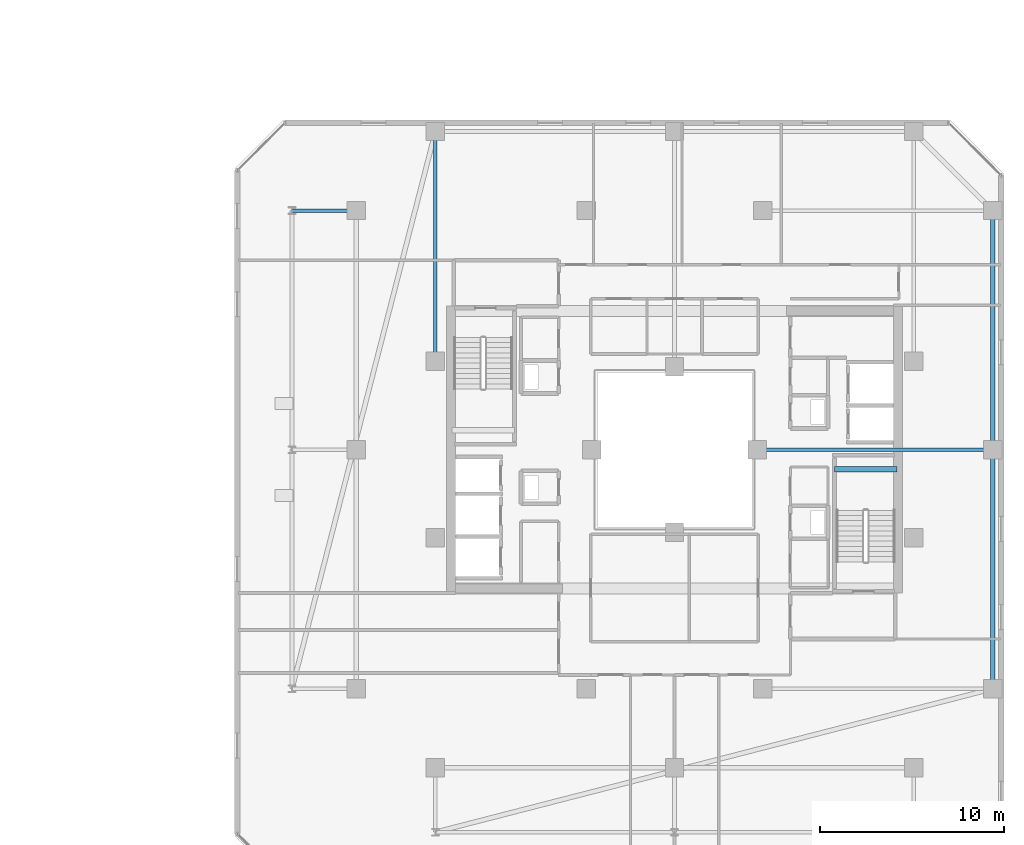
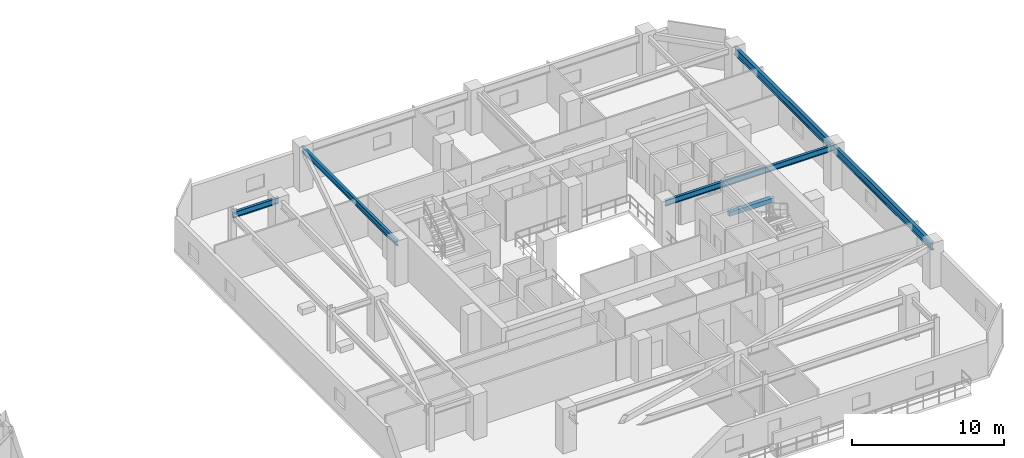
# One storey, part 14 of 33: 6 beams.
"""IFC4 building model written with IfcOpenShell, lengths in metres."""

import ifcopenshell
import ifcopenshell.guid

model = None  # the IFC model being written
_history = None  # IfcOwnerHistory: only IFC2X3 demands one
_inside = {}  # id of a spatial element -> (the spatial element, [elements in it])
_under = {}  # id of a project, library or spatial element -> (it, [spatial elements below it])
_declared = {}  # id of a project -> (the project, [libraries it declares])
_typed = {}  # id of a type object -> (the type object, [elements of that type])
_made_of = {}  # id of a material, layer set ... -> (it, [elements and type objects made of it])


def new_model(schema):
    """Start an empty IFC model of exactly this schema.

    Asked for "IFC4X3", IfcOpenShell would pick the latest addendum, in which some entities
    have other attributes; the version numbers below select the first issue.
    IFC2X3 requires an IfcOwnerHistory on every rooted entity: one is made here for all.
    """
    global model, _history
    if schema == "IFC4X3":
        model = ifcopenshell.file(schema_version=(4, 3, 0, 0))
    else:
        model = ifcopenshell.file(schema=schema)
    _inside.clear()
    _under.clear()
    _declared.clear()
    _typed.clear()
    _made_of.clear()
    _history = None
    if model.schema == "IFC2X3":
        org = make("IfcOrganization", Name="unknown")
        user = make(
            "IfcPersonAndOrganization",
            ThePerson=make("IfcPerson", FamilyName="unknown"),
            TheOrganization=org,
        )
        app = make(
            "IfcApplication",
            ApplicationDeveloper=org,
            Version="unknown",
            ApplicationFullName="unknown",
            ApplicationIdentifier="unknown",
        )
        _history = make(
            "IfcOwnerHistory",
            OwningUser=user,
            OwningApplication=app,
            ChangeAction="ADDED",
            CreationDate=0,
        )
    return model


def make(cls, **values):
    """One entity of the class cls with the attributes given. An attribute that is None is left unset."""
    return model.create_entity(
        cls, **{name: value for name, value in values.items() if value is not None}
    )


def rooted(cls, **values):
    """An entity with a GlobalId (a new one), such as an element, a storey or a relation."""
    return make(cls, GlobalId=ifcopenshell.guid.new(), OwnerHistory=_history, **values)


def si_unit(unit_type, name, prefix=None):
    """IfcSIUnit, for example si_unit("LENGTHUNIT", "METRE", prefix="MILLI")."""
    return make("IfcSIUnit", UnitType=unit_type, Prefix=prefix, Name=name)


def assignment(units):
    """IfcUnitAssignment: the units of a project."""
    return None if units is None else make("IfcUnitAssignment", Units=units)


def point(xyz):
    """IfcCartesianPoint."""
    return None if xyz is None else make("IfcCartesianPoint", Coordinates=xyz)


def direction(xyz):
    """IfcDirection."""
    return None if xyz is None else make("IfcDirection", DirectionRatios=xyz)


def frame(location, z_axis=None, x_axis=None):
    """IfcAxis2Placement3D, a coordinate frame: its origin and axes. An axis left out is left unset."""
    return make(
        "IfcAxis2Placement3D",
        Location=point(location),
        Axis=direction(z_axis),
        RefDirection=direction(x_axis),
    )


def frame_2d(location, x_axis=None):
    """IfcAxis2Placement2D, a coordinate frame in the plane: its origin and x axis."""
    return make(
        "IfcAxis2Placement2D", Location=point(location), RefDirection=direction(x_axis)
    )


def origin():
    """The frame at (0, 0, 0) with its axes left unset."""
    return frame((0.0, 0.0, 0.0))


def origin_2d():
    """The frame at (0, 0) in the plane with its x axis left unset."""
    return frame_2d((0.0, 0.0))


def place(relative_to, where):
    """IfcLocalPlacement: puts the frame where relative to a parent placement (None: the world)."""
    return make(
        "IfcLocalPlacement", PlacementRelTo=relative_to, RelativePlacement=where
    )


def context(
    kind, dimensions, precision=None, world=None, true_north=None, identifier=None
):
    """IfcGeometricRepresentationContext, for example the 3D "Model" context."""
    return make(
        "IfcGeometricRepresentationContext",
        ContextIdentifier=identifier,
        ContextType=kind,
        CoordinateSpaceDimension=dimensions,
        Precision=precision,
        WorldCoordinateSystem=world,
        TrueNorth=true_north,
    )


def subcontext(parent, identifier, kind, view, scale=None):
    """IfcGeometricRepresentationSubContext, for example "Body" below "Model"."""
    return make(
        "IfcGeometricRepresentationSubContext",
        ContextIdentifier=identifier,
        ContextType=kind,
        ParentContext=parent,
        TargetScale=scale,
        TargetView=view,
    )


def project(units=None, contexts=None):
    """IfcProject with its units and contexts."""
    return rooted(
        "IfcProject",
        Name="project",
        RepresentationContexts=contexts,
        UnitsInContext=assignment(units),
    )


def spatial(cls, under=None, at=None, **own):
    """A site, building, storey or space (cls), placed at a placement, below another one or the project."""
    s = rooted(cls, ObjectPlacement=at, **own)
    if under is not None:
        _under.setdefault(under.id(), (under, []))[1].append(s)
    return s


def profile(cls, at=None, kind="AREA", **sizes):
    """A parametric profile (cls). Its sizes go by their IFC names, for example OverallWidth=200.0."""
    return make(cls, ProfileType=kind, Position=at, **sizes)


def rectangle(**sizes):
    """IfcRectangleProfileDef."""
    return profile("IfcRectangleProfileDef", **sizes)


def i_section(**sizes):
    """IfcIShapeProfileDef."""
    return profile("IfcIShapeProfileDef", **sizes)


def extrude(swept, where, along, depth):
    """IfcExtrudedAreaSolid: the profile swept, set in the frame where, extruded along a direction by depth."""
    return make(
        "IfcExtrudedAreaSolid",
        SweptArea=swept,
        Position=where,
        ExtrudedDirection=direction(along),
        Depth=depth,
    )


def shape(context_of_items, identifier, shape_type, items):
    """IfcShapeRepresentation: the items that make up one representation, for example the "Body"."""
    return make(
        "IfcShapeRepresentation",
        ContextOfItems=context_of_items,
        RepresentationIdentifier=identifier,
        RepresentationType=shape_type,
        Items=items,
    )


def material(Name=None, Category=None):
    """IfcMaterial."""
    return make("IfcMaterial", Name=Name, Category=Category)


def material_profile(
    of_material, cross_section, Name=None, Category=None, Priority=None
):
    """IfcMaterialProfile: a cross section and its material."""
    return make(
        "IfcMaterialProfile",
        Name=Name,
        Material=of_material,
        Profile=cross_section,
        Priority=Priority,
        Category=Category,
    )


def profile_set(profiles, Name=None, composite=None):
    """IfcMaterialProfileSet."""
    return make(
        "IfcMaterialProfileSet",
        Name=Name,
        MaterialProfiles=profiles,
        CompositeProfile=composite,
    )


def made_of(thing, what):
    """Note that an element or type object is made of a material, layer set ...; save() writes the relation."""
    if what is not None:
        _made_of.setdefault(what.id(), (what, []))[1].append(thing)
    return thing


def type_object(cls, material=None, **own):
    """A type object (cls), such as IfcWallType, which elements share."""
    return made_of(rooted(cls, **own), material)


def element(
    cls,
    number,
    at=None,
    inside=None,
    cuts=None,
    type_object=None,
    material=None,
    context=None,
    identifier="Body",
    shape_type=None,
    held_by="IfcProductDefinitionShape",
    body=None,
    shapes=None,
    **own,
):
    """One element of the class cls, such as IfcWall. Its Tag is "e" and its number.

    at: its placement. inside: the storey or other place that contains it. cuts: it is an
    opening in that element (IfcRelVoidsElement). A single representation is given by context,
    identifier, shape_type and body (its items); several are given by shapes. held_by: the class
    of the entity that holds the representations. save() writes the other relations.
    """
    e = rooted(cls, Tag="e%d" % number, ObjectPlacement=at, **own)
    if body is not None:
        shapes = [shape(context, identifier, shape_type, body)]
    if shapes is not None:
        e.Representation = make(held_by, Representations=shapes)
    if inside is not None:
        _inside.setdefault(inside.id(), (inside, []))[1].append(e)
    if cuts is not None:
        rooted(
            "IfcRelVoidsElement", RelatingBuildingElement=cuts, RelatedOpeningElement=e
        )
    if type_object is not None:
        _typed.setdefault(type_object.id(), (type_object, []))[1].append(e)
    return made_of(e, material)


def aggregate(whole, parts):
    """IfcRelAggregates: a whole, such as a stair, and the parts it consists of."""
    return rooted("IfcRelAggregates", RelatingObject=whole, RelatedObjects=parts)


def save(model, path):
    """Write the relations noted so far, then the file.

    IfcRelAggregates (storeys below a building ...), IfcRelContainedInSpatialStructure (elements
    in a storey), IfcRelDefinesByType, IfcRelAssociatesMaterial and IfcRelDeclares: one each for
    every whole, place, type object, material and project.
    """
    for whole, parts in _under.values():
        aggregate(whole, parts)
    for where, things in _inside.values():
        rooted(
            "IfcRelContainedInSpatialStructure",
            RelatedElements=things,
            RelatingStructure=where,
        )
    for kind, things in _typed.values():
        rooted("IfcRelDefinesByType", RelatedObjects=things, RelatingType=kind)
    for what, things in _made_of.values():
        rooted("IfcRelAssociatesMaterial", RelatedObjects=things, RelatingMaterial=what)
    for by, libraries in _declared.values():
        rooted("IfcRelDeclares", RelatingContext=by, RelatedDefinitions=libraries)
    model.write(path)


model = new_model("IFC4")

# Units and contexts
model_context = context("Model", 3, precision=1e-05, world=origin(), true_north=direction((0.0, 1.0)))
body_context = subcontext(model_context, "Body", "Model", "MODEL_VIEW")
ifc_project = project(units=[si_unit("LENGTHUNIT", "METRE"), si_unit("AREAUNIT", "SQUARE_METRE"), si_unit("VOLUMEUNIT", "CUBIC_METRE"), si_unit("PLANEANGLEUNIT", "RADIAN"), si_unit("MASSUNIT", "GRAM", prefix="KILO")], contexts=[model_context])

# Site, building, storey
site_placement = place(None, origin())
site = spatial("IfcSite", under=ifc_project, at=site_placement, CompositionType="ELEMENT")
building_placement = place(site_placement, origin())
building = spatial("IfcBuilding", under=site, at=building_placement, Name="Thornwick Lancets Civic Towers", CompositionType="ELEMENT")
storey_placement = place(building_placement, frame((0.0, 0.0, 218.10009765625)))
storey = spatial("IfcBuildingStorey", under=building, at=storey_placement, Name="L58", CompositionType="ELEMENT", Elevation=218.10009765625)

# Beams
ifc_material_1 = material(Name="Steel S355JR", Category="steel")
ifc_material_profile_1 = material_profile(ifc_material_1, i_section(OverallWidth=0.230224609375, OverallDepth=0.6171875, WebThickness=0.01318359375, FlangeThickness=0.022216796875, FilletRadius=0.0126953125, at=origin_2d()), Name="UKB 610x229x140")
ifc_profile_set_1 = profile_set([ifc_material_profile_1], Name="Steel S355JR")
beam_type_1 = type_object("IfcBeamType", Name="BM_GIRD_610_140", PredefinedType="BEAM", material=ifc_profile_set_1)
beam_1_placement = place(storey_placement, frame((105.800048828125, 14.0, 2.97119140625), z_axis=(0.0, 1.0, 0.0), x_axis=(-1.0, 0.0, 0.0)))
element("IfcBeam", 1, at=beam_1_placement, inside=storey, type_object=beam_type_1, Name="BM-SPINE-L58-B-0-1", PredefinedType="BEAM", context=body_context, shape_type="SweptSolid", body=[
    extrude(i_section(OverallWidth=0.230224609375, OverallDepth=0.6171875, WebThickness=0.01318359375, FlangeThickness=0.022216796875, FilletRadius=0.0126953125, at=origin_2d()), origin(), (0.0, 0.0, 1.0), 13.0),
])
beam_2_placement = place(storey_placement, frame((105.800048828125, 27.080078125, 2.97119140625), z_axis=(0.0, 1.0, 0.0), x_axis=(-1.0, 0.0, 0.0)))
element("IfcBeam", 2, at=beam_2_placement, inside=storey, type_object=beam_type_1, Name="BM-SPINE-L58-B-1-2", PredefinedType="BEAM", context=body_context, shape_type="SweptSolid", body=[
    extrude(i_section(OverallWidth=0.230224609375, OverallDepth=0.6171875, WebThickness=0.01318359375, FlangeThickness=0.022216796875, FilletRadius=0.0126953125, at=origin_2d()), origin(), (0.0, 0.0, 1.0), 12.919921875),
])
ifc_material_profile_2 = material_profile(ifc_material_1, i_section(OverallWidth=0.19189453125, OverallDepth=0.46337890625, WebThickness=0.010498046875, FlangeThickness=0.017578125, FilletRadius=0.01025390625, at=origin_2d()), Name="UKB 457x191x89")
ifc_profile_set_2 = profile_set([ifc_material_profile_2], Name="Steel S355JR")
beam_type_2 = type_object("IfcBeamType", Name="BM_JOIST_457_89", PredefinedType="JOIST", material=ifc_profile_set_2)
beam_3_placement = place(storey_placement, frame((93.0, 27.0, 3.048095703125), z_axis=(1.0, 0.0, 0.0), x_axis=(0.0, 1.0, 0.0)))
element("IfcBeam", 3, at=beam_3_placement, inside=storey, type_object=beam_type_2, Name="BM-RADIN-L58-B02", PredefinedType="JOIST", context=body_context, shape_type="SweptSolid", body=[
    extrude(i_section(OverallWidth=0.19189453125, OverallDepth=0.46337890625, WebThickness=0.010498046875, FlangeThickness=0.017578125, FilletRadius=0.01025390625, at=origin_2d()), origin(), (0.0, 0.0, 1.0), 12.800048828125),
])
beam_4_placement = place(storey_placement, frame((75.5, 31.800048828125, 3.048095703125), z_axis=(0.0, 1.0, 0.0), x_axis=(-1.0, 0.0, 0.0)))
element("IfcBeam", 4, at=beam_4_placement, inside=storey, type_object=beam_type_2, Name="BM-RADIN-L58-B06", PredefinedType="JOIST", context=body_context, shape_type="SweptSolid", body=[
    extrude(i_section(OverallWidth=0.19189453125, OverallDepth=0.46337890625, WebThickness=0.010498046875, FlangeThickness=0.017578125, FilletRadius=0.01025390625, at=origin_2d()), origin(), (0.0, 0.0, 1.0), 12.5),
])
beam_5_placement = place(storey_placement, frame((71.199951171875, 40.0, 3.048095703125), z_axis=(-1.0, 0.0, 0.0), x_axis=(0.0, -1.0, 0.0)))
element("IfcBeam", 5, at=beam_5_placement, inside=storey, type_object=beam_type_2, Name="BM-RAD-L58-B09", PredefinedType="JOIST", context=body_context, shape_type="SweptSolid", body=[
    extrude(i_section(OverallWidth=0.19189453125, OverallDepth=0.46337890625, WebThickness=0.010498046875, FlangeThickness=0.017578125, FilletRadius=0.01025390625, at=origin_2d()), origin(), (0.0, 0.0, 1.0), 3.5),
])
ifc_material_2 = material(Name="Concrete C40/50", Category="concrete")
ifc_material_profile_3 = material_profile(ifc_material_2, rectangle(XDim=0.300048828125, YDim=0.35009765625, at=origin_2d()), Name="RC 300x350")
ifc_profile_set_3 = profile_set([ifc_material_profile_3], Name="Concrete C40/50")
beam_type_3 = type_object("IfcBeamType", Name="BM_STAIR_LDG", PredefinedType="BEAM", material=ifc_profile_set_3)
beam_6_placement = place(storey_placement, frame((100.60009765625, 25.93505859375, 1.3779296875), z_axis=(-1.0, 0.0, 0.0), x_axis=(0.0, -1.0, 0.0)))
element("IfcBeam", 6, at=beam_6_placement, inside=storey, type_object=beam_type_3, Name="L58 ST-B1 Landing Support Beam 1", PredefinedType="BEAM", context=body_context, shape_type="SweptSolid", body=[
    extrude(rectangle(XDim=0.300048828125, YDim=0.35009765625, at=origin_2d()), origin(), (0.0, 0.0, 1.0), 3.400146484375),
])

save(model, "model.ifc")
